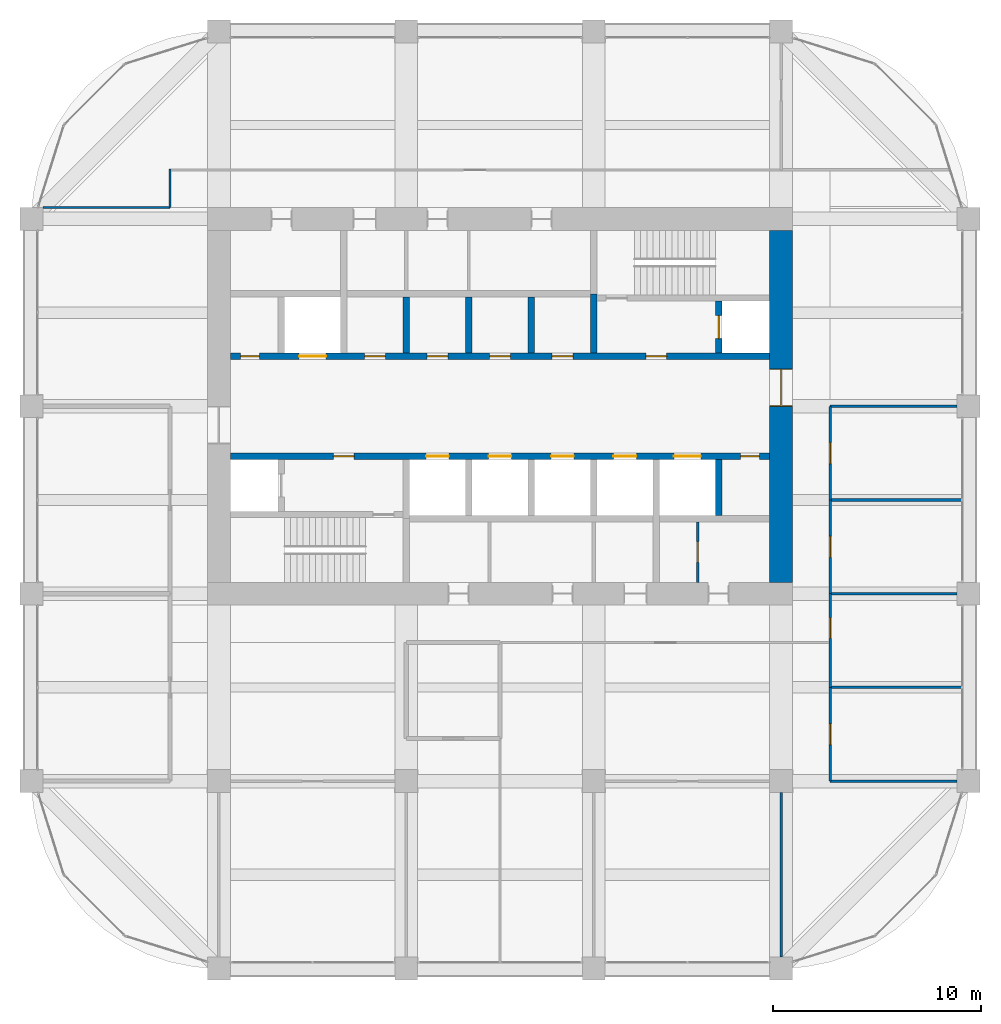
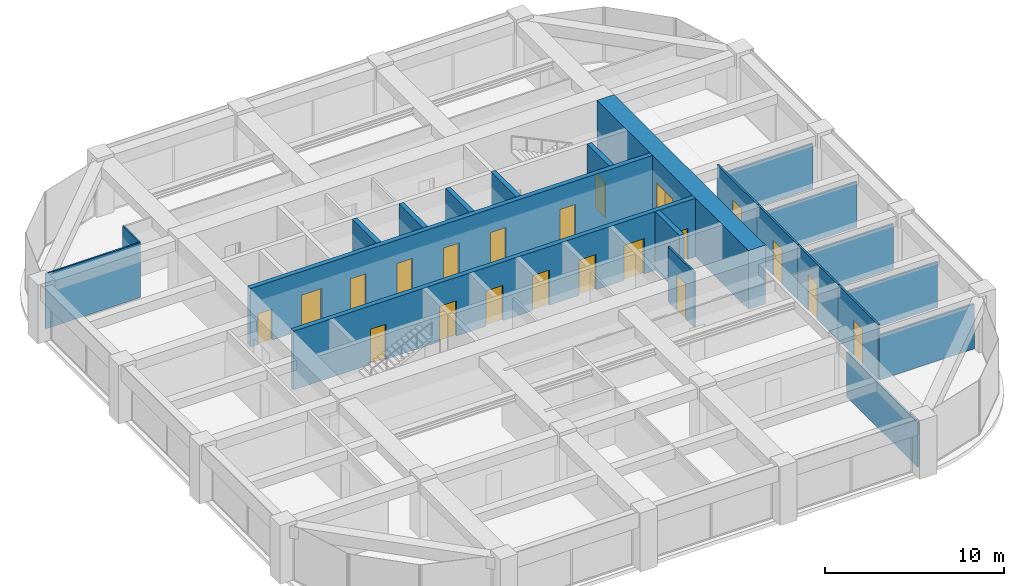
# One storey, part 42 of 44: 22 walls, 21 doors, 21 openings.
"""IFC4 building model written with IfcOpenShell, lengths in metres."""

from ifc_helpers import new_model, si_unit, direction, frame, frame_2d, origin, place, context, subcontext, project, spatial, rectangle, extrude, material, layer, layer_set, type_object, element, fill, save


model = new_model("IFC4")

# Units and contexts
model_context = context("Model", 3, precision=1e-05, world=origin(), true_north=direction((0.0, 1.0)))
body_context = subcontext(model_context, "Body", "Model", "MODEL_VIEW")
ifc_project = project(units=[si_unit("LENGTHUNIT", "METRE"), si_unit("AREAUNIT", "SQUARE_METRE"), si_unit("VOLUMEUNIT", "CUBIC_METRE"), si_unit("PLANEANGLEUNIT", "RADIAN"), si_unit("MASSUNIT", "GRAM", prefix="KILO")], contexts=[model_context])

# Site, building, storey
site_placement = place(None, origin())
site = spatial("IfcSite", under=ifc_project, at=site_placement, CompositionType="ELEMENT")
building_placement = place(site_placement, origin())
building = spatial("IfcBuilding", under=site, at=building_placement, Name="Zorevar Civic Tower", CompositionType="ELEMENT")
storey_placement = place(building_placement, frame((0.0, 0.0, 267.39990234375)))
storey = spatial("IfcBuildingStorey", under=building, at=storey_placement, Name="L65", CompositionType="ELEMENT", Elevation=267.39990234375)

# Wall, opening, door
ifc_material_1 = material(Name="Concrete C50/60", Category="concrete")
ifc_layer_1 = layer(ifc_material_1, 1.10009765625)
ifc_layer_set_1 = layer_set([ifc_layer_1], Name="Core wall 1100")
wall_type_1 = type_object("IfcWallType", Name="Core wall 1100", PredefinedType="SHEAR", material=ifc_layer_set_1)
wall_1_placement = place(storey_placement, frame((45.0, 18.550048828125, 0.0), z_axis=(0.0, 0.0, 1.0), x_axis=(0.0, 1.0, 0.0)))
wall_1 = element("IfcWall", 1, at=wall_1_placement, inside=storey, type_object=wall_type_1, Name="Core wall E L65", PredefinedType="SHEAR", context=body_context, shape_type="SweptSolid", body=[
    extrude(rectangle(XDim=16.89990234375, YDim=1.10009765625, at=frame_2d((8.449951171875, 0.0))), origin(), (0.0, 0.0, 1.0), 4.0),
])
opening_1_placement = place(wall_1_placement, frame((8.449951171875, 0.0, 0.0)))
opening_1 = element("IfcOpeningElement", 2, at=opening_1_placement, cuts=wall_1, Name="Opening L65.02", PredefinedType="OPENING", context=body_context, shape_type="SweptSolid", body=[
    extrude(rectangle(XDim=1.800048828125, YDim=2.39990234375, at=frame_2d((0.89990234375, 1.199951171875))), frame((0.0, 0.56005859375, 0.0), z_axis=(0.0, -1.0, 0.0), x_axis=(1.0, 0.0, 0.0)), (0.0, 0.0, 1.0), 1.1201171875),
])
ifc_material_2 = material(Name="Steel door set", Category="steel")
door_type_1 = type_object("IfcDoorType", Name="Fire door FD2 1800x2400", OperationType="DOUBLE_DOOR_DOUBLE_SWING", PredefinedType="DOOR", material=ifc_material_2)
door_1_placement = place(opening_1_placement, origin())
door_1 = element("IfcDoor", 3, at=door_1_placement, inside=storey, type_object=door_type_1, Name="Door L65 01", OperationType="DOUBLE_DOOR_DOUBLE_SWING", OverallHeight=2.39990234375, OverallWidth=1.800048828125, PredefinedType="DOOR", context=body_context, shape_type="SweptSolid", body=[
    extrude(rectangle(XDim=1.800048828125, YDim=2.39990234375, at=frame_2d((0.89990234375, 1.199951171875))), frame((0.0, 0.030029296875, 0.0), z_axis=(0.0, -1.0, 0.0), x_axis=(1.0, 0.0, 0.0)), (0.0, 0.0, 1.0), 0.06005859375),
    extrude(rectangle(XDim=0.04, YDim=2.39990234375, at=frame_2d((0.02001953125, 1.199951171875))), frame((0.0, 0.5498046875, 0.0), z_axis=(0.0, -1.0, 0.0), x_axis=(1.0, 0.0, 0.0)), (0.0, 0.0, 1.0), 1.099609375),
    extrude(rectangle(XDim=0.04, YDim=2.39990234375, at=frame_2d((1.780029296875, 1.199951171875))), frame((0.0, 0.5498046875, 0.0), z_axis=(0.0, -1.0, 0.0), x_axis=(1.0, 0.0, 0.0)), (0.0, 0.0, 1.0), 1.099609375),
    extrude(rectangle(XDim=1.800048828125, YDim=0.04, at=frame_2d((0.89990234375, 2.3798828125))), frame((0.0, 0.5498046875, 0.0), z_axis=(0.0, -1.0, 0.0), x_axis=(1.0, 0.0, 0.0)), (0.0, 0.0, 1.0), 1.099609375),
])
fill(opening_1, door_1)

# Walls
ifc_material_3 = material(Name="Laminated glass in black aluminium frame", Category="aluminium")
ifc_layer_2 = layer(ifc_material_3, 0.10009765625)
ifc_layer_set_2 = layer_set([ifc_layer_2], Name="Glazed partition 100")
wall_type_2 = type_object("IfcWallType", Name="Glazed partition 100", PredefinedType="PARTITIONING", material=ifc_layer_set_2)
wall_2_placement = place(storey_placement, frame((9.550048828125, 36.550048828125, 0.0), z_axis=(0.0, 0.0, 1.0), x_axis=(1.0, 0.0, 0.0)))
element("IfcWall", 4, at=wall_2_placement, inside=storey, type_object=wall_type_2, Name="Glazed partition 100 L65", PredefinedType="PARTITIONING", context=body_context, shape_type="SweptSolid", body=[
    extrude(rectangle(XDim=6.099853515625, YDim=0.10009765625, at=frame_2d((3.0498046875, 0.0))), origin(), (0.0, 0.0, 1.0), 3.75),
])
wall_3_placement = place(storey_placement, frame((15.64990234375, 36.550048828125, 0.0), z_axis=(0.0, 0.0, 1.0), x_axis=(0.0, 1.0, 0.0)))
element("IfcWall", 5, at=wall_3_placement, inside=storey, type_object=wall_type_2, Name="Glazed partition 100 L65", PredefinedType="PARTITIONING", context=body_context, shape_type="SweptSolid", body=[
    extrude(rectangle(XDim=1.849853515625, YDim=0.10009765625, at=frame_2d((0.9248046875, 0.0))), origin(), (0.0, 0.0, 1.0), 3.75),
])

# Wall, opening, door
ifc_material_4 = material(Name="Concrete C40/50", Category="concrete")
ifc_layer_3 = layer(ifc_material_4, 0.300048828125)
ifc_layer_set_3 = layer_set([ifc_layer_3], Name="Inner core wall 300")
wall_type_3 = type_object("IfcWallType", Name="Inner core wall 300", PredefinedType="SHEAR", material=ifc_layer_set_3)
wall_4_placement = place(storey_placement, frame((42.0, 29.550048828125, 0.0), z_axis=(0.0, 0.0, 1.0), x_axis=(0.0, 1.0, 0.0)))
wall_4 = element("IfcWall", 6, at=wall_4_placement, inside=storey, type_object=wall_type_3, Name="Inner core wall N02 L65", PredefinedType="SHEAR", context=body_context, shape_type="SweptSolid", body=[
    extrude(rectangle(XDim=2.5, YDim=0.300048828125, at=frame_2d((1.25, 0.0))), origin(), (0.0, 0.0, 1.0), 4.0),
])
opening_2_placement = place(wall_4_placement, frame((0.699951171875, 0.0, 0.0)))
opening_2 = element("IfcOpeningElement", 7, at=opening_2_placement, cuts=wall_4, Name="Opening L65.FL2", PredefinedType="OPENING", context=body_context, shape_type="SweptSolid", body=[
    extrude(rectangle(XDim=1.10009765625, YDim=2.39990234375, at=frame_2d((0.550048828125, 1.199951171875))), frame((0.0, 0.159912109375, 0.0), z_axis=(0.0, -1.0, 0.0), x_axis=(1.0, 0.0, 0.0)), (0.0, 0.0, 1.0), 0.320068359375),
])
ifc_material_5 = material(Name="Steel door set", Category="steel")
door_type_2 = type_object("IfcDoorType", Name="Firefighting lift landing door LD3 1100x2400", OperationType="DOUBLE_DOOR_SLIDING", PredefinedType="DOOR", material=ifc_material_5)
door_2_placement = place(opening_2_placement, origin())
door_2 = element("IfcDoor", 8, at=door_2_placement, inside=storey, type_object=door_type_2, Name="Landing door FL2 L65", OperationType="DOUBLE_DOOR_SLIDING", OverallHeight=2.39990234375, OverallWidth=1.10009765625, PredefinedType="DOOR", context=body_context, shape_type="SweptSolid", body=[
    extrude(rectangle(XDim=1.10009765625, YDim=2.39990234375, at=frame_2d((0.550048828125, 1.199951171875))), frame((0.0, 0.030029296875, 0.0), z_axis=(0.0, -1.0, 0.0), x_axis=(1.0, 0.0, 0.0)), (0.0, 0.0, 1.0), 0.06005859375),
])
fill(opening_2, door_2)

# Wall, openings, doors
wall_5_placement = place(storey_placement, frame((18.550048828125, 24.60009765625, 0.0), z_axis=(0.0, 0.0, 1.0), x_axis=(1.0, 0.0, 0.0)))
wall_5 = element("IfcWall", 9, at=wall_5_placement, inside=storey, type_object=wall_type_3, Name="Inner core wall S03 L65", PredefinedType="SHEAR", context=body_context, shape_type="SweptSolid", body=[
    extrude(rectangle(XDim=25.89990234375, YDim=0.300048828125, at=frame_2d((12.949951171875, 0.0))), origin(), (0.0, 0.0, 1.0), 4.0),
])
opening_3_placement = place(wall_5_placement, frame((4.949951171875, 0.0, 0.0)))
opening_3 = element("IfcOpeningElement", 10, at=opening_3_placement, cuts=wall_5, Name="Opening L65.13", PredefinedType="OPENING", context=body_context, shape_type="SweptSolid", body=[
    extrude(rectangle(XDim=1.0, YDim=2.39990234375, at=frame_2d((0.5, 1.199951171875))), frame((0.0, 0.159912109375, 0.0), z_axis=(0.0, -1.0, 0.0), x_axis=(1.0, 0.0, 0.0)), (0.0, 0.0, 1.0), 0.320068359375),
])
opening_4_placement = place(wall_5_placement, frame((24.5, 0.0, 0.0)))
opening_4 = element("IfcOpeningElement", 11, at=opening_4_placement, cuts=wall_5, Name="Opening L65.15", PredefinedType="OPENING", context=body_context, shape_type="SweptSolid", body=[
    extrude(rectangle(XDim=0.89990234375, YDim=2.10009765625, at=frame_2d((0.449951171875, 1.050048828125))), frame((0.0, 0.159912109375, 0.0), z_axis=(0.0, -1.0, 0.0), x_axis=(1.0, 0.0, 0.0)), (0.0, 0.0, 1.0), 0.320068359375),
])
opening_5_placement = place(wall_5_placement, frame((9.39990234375, 0.0, 0.0)))
opening_5 = element("IfcOpeningElement", 12, at=opening_5_placement, cuts=wall_5, Name="Opening L65.LT1", PredefinedType="OPENING", context=body_context, shape_type="SweptSolid", body=[
    extrude(rectangle(XDim=1.10009765625, YDim=2.39990234375, at=frame_2d((0.550048828125, 1.199951171875))), frame((0.0, 0.159912109375, 0.0), z_axis=(0.0, -1.0, 0.0), x_axis=(1.0, 0.0, 0.0)), (0.0, 0.0, 1.0), 0.320068359375),
])
opening_6_placement = place(wall_5_placement, frame((12.39990234375, 0.0, 0.0)))
opening_6 = element("IfcOpeningElement", 13, at=opening_6_placement, cuts=wall_5, Name="Opening L65.LT2", PredefinedType="OPENING", context=body_context, shape_type="SweptSolid", body=[
    extrude(rectangle(XDim=1.10009765625, YDim=2.39990234375, at=frame_2d((0.550048828125, 1.199951171875))), frame((0.0, 0.159912109375, 0.0), z_axis=(0.0, -1.0, 0.0), x_axis=(1.0, 0.0, 0.0)), (0.0, 0.0, 1.0), 0.320068359375),
])
opening_7_placement = place(wall_5_placement, frame((15.39990234375, 0.0, 0.0)))
opening_7 = element("IfcOpeningElement", 14, at=opening_7_placement, cuts=wall_5, Name="Opening L65.LT3", PredefinedType="OPENING", context=body_context, shape_type="SweptSolid", body=[
    extrude(rectangle(XDim=1.10009765625, YDim=2.39990234375, at=frame_2d((0.550048828125, 1.199951171875))), frame((0.0, 0.159912109375, 0.0), z_axis=(0.0, -1.0, 0.0), x_axis=(1.0, 0.0, 0.0)), (0.0, 0.0, 1.0), 0.320068359375),
])
opening_8_placement = place(wall_5_placement, frame((18.39990234375, 0.0, 0.0)))
opening_8 = element("IfcOpeningElement", 15, at=opening_8_placement, cuts=wall_5, Name="Opening L65.LT4", PredefinedType="OPENING", context=body_context, shape_type="SweptSolid", body=[
    extrude(rectangle(XDim=1.10009765625, YDim=2.39990234375, at=frame_2d((0.550048828125, 1.199951171875))), frame((0.0, 0.159912109375, 0.0), z_axis=(0.0, -1.0, 0.0), x_axis=(1.0, 0.0, 0.0)), (0.0, 0.0, 1.0), 0.320068359375),
])
opening_9_placement = place(wall_5_placement, frame((21.300048828125, 0.0, 0.0)))
opening_9 = element("IfcOpeningElement", 16, at=opening_9_placement, cuts=wall_5, Name="Opening L65.SL1", PredefinedType="OPENING", context=body_context, shape_type="SweptSolid", body=[
    extrude(rectangle(XDim=1.300048828125, YDim=2.39990234375, at=frame_2d((0.64990234375, 1.199951171875))), frame((0.0, 0.159912109375, 0.0), z_axis=(0.0, -1.0, 0.0), x_axis=(1.0, 0.0, 0.0)), (0.0, 0.0, 1.0), 0.320068359375),
])
ifc_material_6 = material(Name="Steel door set", Category="steel")
door_type_3 = type_object("IfcDoorType", Name="Fire door FD1 1000x2400", OperationType="SINGLE_SWING_LEFT", PredefinedType="DOOR", material=ifc_material_6)
door_3_placement = place(opening_3_placement, origin())
door_3 = element("IfcDoor", 17, at=door_3_placement, inside=storey, type_object=door_type_3, Name="Door L65 12", OperationType="SINGLE_SWING_RIGHT", OverallHeight=2.39990234375, OverallWidth=1.0, PredefinedType="DOOR", context=body_context, shape_type="SweptSolid", body=[
    extrude(rectangle(XDim=1.0, YDim=2.39990234375, at=frame_2d((0.5, 1.199951171875))), frame((0.0, 0.030029296875, 0.0), z_axis=(0.0, -1.0, 0.0), x_axis=(1.0, 0.0, 0.0)), (0.0, 0.0, 1.0), 0.06005859375),
])
fill(opening_3, door_3)
ifc_material_7 = material(Name="Steel door set", Category="steel")
door_type_4 = type_object("IfcDoorType", Name="Landing door LD1 1100x2400", OperationType="DOUBLE_DOOR_SLIDING", PredefinedType="DOOR", material=ifc_material_7)
door_4_placement = place(opening_5_placement, origin())
door_4 = element("IfcDoor", 18, at=door_4_placement, inside=storey, type_object=door_type_4, Name="Landing door LT1 L65", OperationType="DOUBLE_DOOR_SLIDING", OverallHeight=2.39990234375, OverallWidth=1.10009765625, PredefinedType="DOOR", context=body_context, shape_type="SweptSolid", body=[
    extrude(rectangle(XDim=1.10009765625, YDim=2.39990234375, at=frame_2d((0.550048828125, 1.199951171875))), frame((0.0, 0.02001953125, 0.0), z_axis=(0.0, -1.0, 0.0), x_axis=(1.0, 0.0, 0.0)), (0.0, 0.0, 1.0), 0.0400390625),
])
fill(opening_5, door_4)
door_5_placement = place(opening_6_placement, origin())
door_5 = element("IfcDoor", 19, at=door_5_placement, inside=storey, type_object=door_type_4, Name="Landing door LT2 L65", OperationType="DOUBLE_DOOR_SLIDING", OverallHeight=2.39990234375, OverallWidth=1.10009765625, PredefinedType="DOOR", context=body_context, shape_type="SweptSolid", body=[
    extrude(rectangle(XDim=1.10009765625, YDim=2.39990234375, at=frame_2d((0.550048828125, 1.199951171875))), frame((0.0, 0.02001953125, 0.0), z_axis=(0.0, -1.0, 0.0), x_axis=(1.0, 0.0, 0.0)), (0.0, 0.0, 1.0), 0.0400390625),
])
fill(opening_6, door_5)
door_6_placement = place(opening_7_placement, origin())
door_6 = element("IfcDoor", 20, at=door_6_placement, inside=storey, type_object=door_type_4, Name="Landing door LT3 L65", OperationType="DOUBLE_DOOR_SLIDING", OverallHeight=2.39990234375, OverallWidth=1.10009765625, PredefinedType="DOOR", context=body_context, shape_type="SweptSolid", body=[
    extrude(rectangle(XDim=1.10009765625, YDim=2.39990234375, at=frame_2d((0.550048828125, 1.199951171875))), frame((0.0, 0.02001953125, 0.0), z_axis=(0.0, -1.0, 0.0), x_axis=(1.0, 0.0, 0.0)), (0.0, 0.0, 1.0), 0.0400390625),
])
fill(opening_7, door_6)
door_7_placement = place(opening_8_placement, origin())
door_7 = element("IfcDoor", 21, at=door_7_placement, inside=storey, type_object=door_type_4, Name="Landing door LT4 L65", OperationType="DOUBLE_DOOR_SLIDING", OverallHeight=2.39990234375, OverallWidth=1.10009765625, PredefinedType="DOOR", context=body_context, shape_type="SweptSolid", body=[
    extrude(rectangle(XDim=1.10009765625, YDim=2.39990234375, at=frame_2d((0.550048828125, 1.199951171875))), frame((0.0, 0.02001953125, 0.0), z_axis=(0.0, -1.0, 0.0), x_axis=(1.0, 0.0, 0.0)), (0.0, 0.0, 1.0), 0.0400390625),
])
fill(opening_8, door_7)
ifc_material_8 = material(Name="Steel door set", Category="steel")
door_type_5 = type_object("IfcDoorType", Name="Landing door LD2 1300x2400", OperationType="DOUBLE_DOOR_SLIDING", PredefinedType="DOOR", material=ifc_material_8)
door_8_placement = place(opening_9_placement, origin())
door_8 = element("IfcDoor", 22, at=door_8_placement, inside=storey, type_object=door_type_5, Name="Landing door SL1 L65", OperationType="DOUBLE_DOOR_SLIDING", OverallHeight=2.39990234375, OverallWidth=1.300048828125, PredefinedType="DOOR", context=body_context, shape_type="SweptSolid", body=[
    extrude(rectangle(XDim=1.300048828125, YDim=2.39990234375, at=frame_2d((0.64990234375, 1.199951171875))), frame((0.0, 0.02001953125, 0.0), z_axis=(0.0, -1.0, 0.0), x_axis=(1.0, 0.0, 0.0)), (0.0, 0.0, 1.0), 0.0400390625),
])
fill(opening_9, door_8)
ifc_material_9 = material(Name="Steel door set", Category="steel")
door_type_6 = type_object("IfcDoorType", Name="Riser door RD1 900x2100", OperationType="SINGLE_SWING_LEFT", PredefinedType="DOOR", material=ifc_material_9)
door_9_placement = place(opening_4_placement, origin())
door_9 = element("IfcDoor", 23, at=door_9_placement, inside=storey, type_object=door_type_6, Name="Door L65 14", OperationType="SINGLE_SWING_RIGHT", OverallHeight=2.10009765625, OverallWidth=0.89990234375, PredefinedType="DOOR", context=body_context, shape_type="SweptSolid", body=[
    extrude(rectangle(XDim=0.89990234375, YDim=2.10009765625, at=frame_2d((0.449951171875, 1.050048828125))), frame((0.0, 0.030029296875, 0.0), z_axis=(0.0, -1.0, 0.0), x_axis=(1.0, 0.0, 0.0)), (0.0, 0.0, 1.0), 0.06005859375),
])
fill(opening_4, door_9)

wall_6_placement = place(storey_placement, frame((18.550048828125, 29.39990234375, 0.0), z_axis=(0.0, 0.0, 1.0), x_axis=(1.0, 0.0, 0.0)))
wall_6 = element("IfcWall", 24, at=wall_6_placement, inside=storey, type_object=wall_type_3, Name="Inner core wall N03 L65", PredefinedType="SHEAR", context=body_context, shape_type="SweptSolid", body=[
    extrude(rectangle(XDim=25.89990234375, YDim=0.300048828125, at=frame_2d((12.949951171875, 0.0))), origin(), (0.0, 0.0, 1.0), 4.0),
])
opening_10_placement = place(wall_6_placement, frame((19.949951171875, 0.0, 0.0)))
opening_10 = element("IfcOpeningElement", 25, at=opening_10_placement, cuts=wall_6, Name="Opening L65.14", PredefinedType="OPENING", context=body_context, shape_type="SweptSolid", body=[
    extrude(rectangle(XDim=1.0, YDim=2.39990234375, at=frame_2d((0.5, 1.199951171875))), frame((0.0, 0.159912109375, 0.0), z_axis=(0.0, -1.0, 0.0), x_axis=(1.0, 0.0, 0.0)), (0.0, 0.0, 1.0), 0.320068359375),
])
opening_11_placement = place(wall_6_placement, frame((0.5, 0.0, 0.0)))
opening_11 = element("IfcOpeningElement", 26, at=opening_11_placement, cuts=wall_6, Name="Opening L65.16", PredefinedType="OPENING", context=body_context, shape_type="SweptSolid", body=[
    extrude(rectangle(XDim=0.89990234375, YDim=2.10009765625, at=frame_2d((0.449951171875, 1.050048828125))), frame((0.0, 0.159912109375, 0.0), z_axis=(0.0, -1.0, 0.0), x_axis=(1.0, 0.0, 0.0)), (0.0, 0.0, 1.0), 0.320068359375),
])
opening_12_placement = place(wall_6_placement, frame((15.449951171875, 0.0, 0.0)))
opening_12 = element("IfcOpeningElement", 27, at=opening_12_placement, cuts=wall_6, Name="Opening L65.30", PredefinedType="OPENING", context=body_context, shape_type="SweptSolid", body=[
    extrude(rectangle(XDim=1.0, YDim=2.39990234375, at=frame_2d((0.5, 1.199951171875))), frame((0.0, 0.159912109375, 0.0), z_axis=(0.0, -1.0, 0.0), x_axis=(1.0, 0.0, 0.0)), (0.0, 0.0, 1.0), 0.320068359375),
])
opening_13_placement = place(wall_6_placement, frame((12.449951171875, 0.0, 0.0)))
opening_13 = element("IfcOpeningElement", 28, at=opening_13_placement, cuts=wall_6, Name="Opening L65.31", PredefinedType="OPENING", context=body_context, shape_type="SweptSolid", body=[
    extrude(rectangle(XDim=1.0, YDim=2.39990234375, at=frame_2d((0.5, 1.199951171875))), frame((0.0, 0.159912109375, 0.0), z_axis=(0.0, -1.0, 0.0), x_axis=(1.0, 0.0, 0.0)), (0.0, 0.0, 1.0), 0.320068359375),
])
opening_14_placement = place(wall_6_placement, frame((9.449951171875, 0.0, 0.0)))
opening_14 = element("IfcOpeningElement", 29, at=opening_14_placement, cuts=wall_6, Name="Opening L65.32", PredefinedType="OPENING", context=body_context, shape_type="SweptSolid", body=[
    extrude(rectangle(XDim=1.0, YDim=2.39990234375, at=frame_2d((0.5, 1.199951171875))), frame((0.0, 0.159912109375, 0.0), z_axis=(0.0, -1.0, 0.0), x_axis=(1.0, 0.0, 0.0)), (0.0, 0.0, 1.0), 0.320068359375),
])
opening_15_placement = place(wall_6_placement, frame((6.449951171875, 0.0, 0.0)))
opening_15 = element("IfcOpeningElement", 30, at=opening_15_placement, cuts=wall_6, Name="Opening L65.33", PredefinedType="OPENING", context=body_context, shape_type="SweptSolid", body=[
    extrude(rectangle(XDim=1.0, YDim=2.39990234375, at=frame_2d((0.5, 1.199951171875))), frame((0.0, 0.159912109375, 0.0), z_axis=(0.0, -1.0, 0.0), x_axis=(1.0, 0.0, 0.0)), (0.0, 0.0, 1.0), 0.320068359375),
])
opening_16_placement = place(wall_6_placement, frame((3.300048828125, 0.0, 0.0)))
opening_16 = element("IfcOpeningElement", 31, at=opening_16_placement, cuts=wall_6, Name="Opening L65.SL2", PredefinedType="OPENING", context=body_context, shape_type="SweptSolid", body=[
    extrude(rectangle(XDim=1.300048828125, YDim=2.39990234375, at=frame_2d((0.64990234375, 1.199951171875))), frame((0.0, 0.159912109375, 0.0), z_axis=(0.0, -1.0, 0.0), x_axis=(1.0, 0.0, 0.0)), (0.0, 0.0, 1.0), 0.320068359375),
])
door_10_placement = place(opening_10_placement, origin())
door_10 = element("IfcDoor", 32, at=door_10_placement, inside=storey, type_object=door_type_3, Name="Door L65 13", OperationType="SINGLE_SWING_RIGHT", OverallHeight=2.39990234375, OverallWidth=1.0, PredefinedType="DOOR", context=body_context, shape_type="SweptSolid", body=[
    extrude(rectangle(XDim=1.0, YDim=2.39990234375, at=frame_2d((0.5, 1.199951171875))), frame((0.0, 0.030029296875, 0.0), z_axis=(0.0, -1.0, 0.0), x_axis=(1.0, 0.0, 0.0)), (0.0, 0.0, 1.0), 0.06005859375),
])
fill(opening_10, door_10)
door_11_placement = place(opening_12_placement, origin())
door_11 = element("IfcDoor", 33, at=door_11_placement, inside=storey, type_object=door_type_3, Name="Door L65 LM1 shaft room", OperationType="SINGLE_SWING_LEFT", OverallHeight=2.39990234375, OverallWidth=1.0, PredefinedType="DOOR", context=body_context, shape_type="SweptSolid", body=[
    extrude(rectangle(XDim=1.0, YDim=2.39990234375, at=frame_2d((0.5, 1.199951171875))), frame((0.0, 0.030029296875, 0.0), z_axis=(0.0, -1.0, 0.0), x_axis=(1.0, 0.0, 0.0)), (0.0, 0.0, 1.0), 0.06005859375),
])
fill(opening_12, door_11)
door_12_placement = place(opening_13_placement, origin())
door_12 = element("IfcDoor", 34, at=door_12_placement, inside=storey, type_object=door_type_3, Name="Door L65 LM2 shaft room", OperationType="SINGLE_SWING_RIGHT", OverallHeight=2.39990234375, OverallWidth=1.0, PredefinedType="DOOR", context=body_context, shape_type="SweptSolid", body=[
    extrude(rectangle(XDim=1.0, YDim=2.39990234375, at=frame_2d((0.5, 1.199951171875))), frame((0.0, 0.030029296875, 0.0), z_axis=(0.0, -1.0, 0.0), x_axis=(1.0, 0.0, 0.0)), (0.0, 0.0, 1.0), 0.06005859375),
])
fill(opening_13, door_12)
door_13_placement = place(opening_14_placement, origin())
door_13 = element("IfcDoor", 35, at=door_13_placement, inside=storey, type_object=door_type_3, Name="Door L65 LH1 shaft room", OperationType="SINGLE_SWING_RIGHT", OverallHeight=2.39990234375, OverallWidth=1.0, PredefinedType="DOOR", context=body_context, shape_type="SweptSolid", body=[
    extrude(rectangle(XDim=1.0, YDim=2.39990234375, at=frame_2d((0.5, 1.199951171875))), frame((0.0, 0.030029296875, 0.0), z_axis=(0.0, -1.0, 0.0), x_axis=(1.0, 0.0, 0.0)), (0.0, 0.0, 1.0), 0.06005859375),
])
fill(opening_14, door_13)
door_14_placement = place(opening_15_placement, origin())
door_14 = element("IfcDoor", 36, at=door_14_placement, inside=storey, type_object=door_type_3, Name="Door L65 LH2 shaft room", OperationType="SINGLE_SWING_RIGHT", OverallHeight=2.39990234375, OverallWidth=1.0, PredefinedType="DOOR", context=body_context, shape_type="SweptSolid", body=[
    extrude(rectangle(XDim=1.0, YDim=2.39990234375, at=frame_2d((0.5, 1.199951171875))), frame((0.0, 0.030029296875, 0.0), z_axis=(0.0, -1.0, 0.0), x_axis=(1.0, 0.0, 0.0)), (0.0, 0.0, 1.0), 0.06005859375),
])
fill(opening_15, door_14)
door_15_placement = place(opening_16_placement, origin())
door_15 = element("IfcDoor", 37, at=door_15_placement, inside=storey, type_object=door_type_5, Name="Landing door SL2 L65", OperationType="DOUBLE_DOOR_SLIDING", OverallHeight=2.39990234375, OverallWidth=1.300048828125, PredefinedType="DOOR", context=body_context, shape_type="SweptSolid", body=[
    extrude(rectangle(XDim=1.300048828125, YDim=2.39990234375, at=frame_2d((0.64990234375, 1.199951171875))), frame((0.0, 0.02001953125, 0.0), z_axis=(0.0, -1.0, 0.0), x_axis=(1.0, 0.0, 0.0)), (0.0, 0.0, 1.0), 0.0400390625),
])
fill(opening_16, door_15)
door_16_placement = place(opening_11_placement, origin())
door_16 = element("IfcDoor", 38, at=door_16_placement, inside=storey, type_object=door_type_6, Name="Door L65 15", OperationType="SINGLE_SWING_RIGHT", OverallHeight=2.10009765625, OverallWidth=0.89990234375, PredefinedType="DOOR", context=body_context, shape_type="SweptSolid", body=[
    extrude(rectangle(XDim=0.89990234375, YDim=2.10009765625, at=frame_2d((0.449951171875, 1.050048828125))), frame((0.0, 0.030029296875, 0.0), z_axis=(0.0, -1.0, 0.0), x_axis=(1.0, 0.0, 0.0)), (0.0, 0.0, 1.0), 0.06005859375),
])
fill(opening_11, door_16)

# Walls
for number, where, z_axis, x_axis, name in (
    (39, (33.0, 29.550048828125, 0.0), (0.0, 0.0, 1.0), (0.0, 1.0, 0.0), "Inner core wall N05 L65"),
    (40, (30.0, 29.550048828125, 0.0), (0.0, 0.0, 1.0), (0.0, 1.0, 0.0), "Inner core wall N06 L65"),
    (41, (27.0, 29.550048828125, 0.0), (0.0, 0.0, 1.0), (0.0, 1.0, 0.0), "Inner core wall N07 L65"),
    (42, (42.0, 21.75, 0.0), (0.0, 0.0, 1.0), (0.0, 1.0, 0.0), "Inner core wall S09 L65"),
):
    element("IfcWall", number, at=place(storey_placement, frame(where, z_axis=z_axis, x_axis=x_axis)), inside=storey, type_object=wall_type_3, Name=name, PredefinedType="SHEAR", context=body_context, shape_type="SweptSolid", body=[
        extrude(rectangle(XDim=2.699951171875, YDim=0.300048828125, at=frame_2d((1.35009765625, 0.0))), origin(), (0.0, 0.0, 1.0), 4.0),
    ])
wall_7_placement = place(storey_placement, frame((36.0, 29.550048828125, 0.0), z_axis=(0.0, 0.0, 1.0), x_axis=(0.0, 1.0, 0.0)))
element("IfcWall", 43, at=wall_7_placement, inside=storey, type_object=wall_type_3, Name="Inner core wall N10 L65", PredefinedType="SHEAR", context=body_context, shape_type="SweptSolid", body=[
    extrude(rectangle(XDim=2.849853515625, YDim=0.300048828125, at=frame_2d((1.4248046875, 0.0))), origin(), (0.0, 0.0, 1.0), 4.0),
])
ifc_material_10 = material(Name="Gypsum board on steel studs", Category="steel")
ifc_layer_4 = layer(ifc_material_10, 0.1201171875)
ifc_layer_set_4 = layer_set([ifc_layer_4], Name="Partition 120")
wall_type_4 = type_object("IfcWallType", Name="Partition 120", PredefinedType="PARTITIONING", material=ifc_layer_set_4)
wall_8_placement = place(storey_placement, frame((47.35009765625, 9.0, 0.0), z_axis=(0.0, 0.0, 1.0), x_axis=(1.0, 0.0, 0.0)))
element("IfcWall", 44, at=wall_8_placement, inside=storey, type_object=wall_type_4, Name="Partition 120 L65", PredefinedType="PARTITIONING", context=body_context, shape_type="SweptSolid", body=[
    extrude(rectangle(XDim=6.099853515625, YDim=0.1201171875, at=frame_2d((3.0498046875, 0.0))), origin(), (0.0, 0.0, 1.0), 3.050048828125),
])
wall_9_placement = place(storey_placement, frame((47.35009765625, 13.5, 0.0), z_axis=(0.0, 0.0, 1.0), x_axis=(1.0, 0.0, 0.0)))
element("IfcWall", 45, at=wall_9_placement, inside=storey, type_object=wall_type_4, Name="Partition 120 L65", PredefinedType="PARTITIONING", context=body_context, shape_type="SweptSolid", body=[
    extrude(rectangle(XDim=6.33984375, YDim=0.1201171875, at=frame_2d((3.169921875, 0.0))), origin(), (0.0, 0.0, 1.0), 3.10009765625),
])
wall_10_placement = place(storey_placement, frame((47.35009765625, 18.0, 0.0), z_axis=(0.0, 0.0, 1.0), x_axis=(1.0, 0.0, 0.0)))
element("IfcWall", 46, at=wall_10_placement, inside=storey, type_object=wall_type_4, Name="Partition 120 L65", PredefinedType="PARTITIONING", context=body_context, shape_type="SweptSolid", body=[
    extrude(rectangle(XDim=6.099853515625, YDim=0.1201171875, at=frame_2d((3.0498046875, 0.0))), origin(), (0.0, 0.0, 1.0), 3.050048828125),
])
wall_11_placement = place(storey_placement, frame((47.35009765625, 22.5, 0.0), z_axis=(0.0, 0.0, 1.0), x_axis=(1.0, 0.0, 0.0)))
element("IfcWall", 47, at=wall_11_placement, inside=storey, type_object=wall_type_4, Name="Partition 120 L65", PredefinedType="PARTITIONING", context=body_context, shape_type="SweptSolid", body=[
    extrude(rectangle(XDim=6.33984375, YDim=0.1201171875, at=frame_2d((3.169921875, 0.0))), origin(), (0.0, 0.0, 1.0), 3.10009765625),
])
wall_12_placement = place(storey_placement, frame((47.35009765625, 27.0, 0.0), z_axis=(0.0, 0.0, 1.0), x_axis=(1.0, 0.0, 0.0)))
element("IfcWall", 48, at=wall_12_placement, inside=storey, type_object=wall_type_4, Name="Partition 120 L65", PredefinedType="PARTITIONING", context=body_context, shape_type="SweptSolid", body=[
    extrude(rectangle(XDim=6.099853515625, YDim=0.1201171875, at=frame_2d((3.0498046875, 0.0))), origin(), (0.0, 0.0, 1.0), 3.050048828125),
])
wall_13_placement = place(storey_placement, frame((45.0, 0.550048828125, 0.0), z_axis=(0.0, 0.0, 1.0), x_axis=(0.0, 1.0, 0.0)))
element("IfcWall", 49, at=wall_13_placement, inside=storey, type_object=wall_type_4, Name="Partition 120 L65", PredefinedType="PARTITIONING", context=body_context, shape_type="SweptSolid", body=[
    extrude(rectangle(XDim=7.89990234375, YDim=0.1201171875, at=frame_2d((3.949951171875, 0.0))), origin(), (0.0, 0.0, 1.0), 3.050048828125),
])

# Wall, opening, door
wall_14_placement = place(storey_placement, frame((47.35009765625, 9.0, 0.0), z_axis=(0.0, 0.0, 1.0), x_axis=(0.0, 1.0, 0.0)))
wall_14 = element("IfcWall", 50, at=wall_14_placement, inside=storey, type_object=wall_type_4, Name="Partition 120 L65", PredefinedType="PARTITIONING", context=body_context, shape_type="SweptSolid", body=[
    extrude(rectangle(XDim=4.5, YDim=0.1201171875, at=frame_2d((2.25, 0.0))), origin(), (0.0, 0.0, 1.0), 3.75),
])
opening_17_placement = place(wall_14_placement, frame((1.75, 0.0, 0.0)))
opening_17 = element("IfcOpeningElement", 51, at=opening_17_placement, cuts=wall_14, Name="Opening L65.25", PredefinedType="OPENING", context=body_context, shape_type="SweptSolid", body=[
    extrude(rectangle(XDim=1.0, YDim=2.39990234375, at=frame_2d((0.5, 1.199951171875))), frame((0.0, 0.070068359375, 0.0), z_axis=(0.0, -1.0, 0.0), x_axis=(1.0, 0.0, 0.0)), (0.0, 0.0, 1.0), 0.14013671875),
])
ifc_material_11 = material(Name="Timber door set", Category="wood")
door_type_7 = type_object("IfcDoorType", Name="Door D1 1000x2400", OperationType="SINGLE_SWING_LEFT", PredefinedType="DOOR", material=ifc_material_11)
door_17_placement = place(opening_17_placement, origin())
door_17 = element("IfcDoor", 52, at=door_17_placement, inside=storey, type_object=door_type_7, Name="Door L65 D1", OperationType="SINGLE_SWING_LEFT", OverallHeight=2.39990234375, OverallWidth=1.0, PredefinedType="DOOR", context=body_context, shape_type="SweptSolid", body=[
    extrude(rectangle(XDim=1.0, YDim=2.39990234375, at=frame_2d((0.5, 1.199951171875))), frame((0.0, 0.02490234375, 0.0), z_axis=(0.0, -1.0, 0.0), x_axis=(1.0, 0.0, 0.0)), (0.0, 0.0, 1.0), 0.050048828125),
])
fill(opening_17, door_17)

wall_15_placement = place(storey_placement, frame((47.35009765625, 13.5, 0.0), z_axis=(0.0, 0.0, 1.0), x_axis=(0.0, 1.0, 0.0)))
wall_15 = element("IfcWall", 53, at=wall_15_placement, inside=storey, type_object=wall_type_4, Name="Partition 120 L65", PredefinedType="PARTITIONING", context=body_context, shape_type="SweptSolid", body=[
    extrude(rectangle(XDim=4.5, YDim=0.1201171875, at=frame_2d((2.25, 0.0))), origin(), (0.0, 0.0, 1.0), 3.75),
])
opening_18_placement = place(wall_15_placement, frame((2.35009765625, 0.0, 0.0)))
opening_18 = element("IfcOpeningElement", 54, at=opening_18_placement, cuts=wall_15, Name="Opening L65.26", PredefinedType="OPENING", context=body_context, shape_type="SweptSolid", body=[
    extrude(rectangle(XDim=1.0, YDim=2.39990234375, at=frame_2d((0.5, 1.199951171875))), frame((0.0, 0.070068359375, 0.0), z_axis=(0.0, -1.0, 0.0), x_axis=(1.0, 0.0, 0.0)), (0.0, 0.0, 1.0), 0.14013671875),
])
door_18_placement = place(opening_18_placement, origin())
door_18 = element("IfcDoor", 55, at=door_18_placement, inside=storey, type_object=door_type_7, Name="Door L65 D1", OperationType="SINGLE_SWING_LEFT", OverallHeight=2.39990234375, OverallWidth=1.0, PredefinedType="DOOR", context=body_context, shape_type="SweptSolid", body=[
    extrude(rectangle(XDim=1.0, YDim=2.39990234375, at=frame_2d((0.5, 1.199951171875))), frame((0.0, 0.02490234375, 0.0), z_axis=(0.0, -1.0, 0.0), x_axis=(1.0, 0.0, 0.0)), (0.0, 0.0, 1.0), 0.050048828125),
])
fill(opening_18, door_18)

wall_16_placement = place(storey_placement, frame((47.35009765625, 18.0, 0.0), z_axis=(0.0, 0.0, 1.0), x_axis=(0.0, 1.0, 0.0)))
wall_16 = element("IfcWall", 56, at=wall_16_placement, inside=storey, type_object=wall_type_4, Name="Partition 120 L65", PredefinedType="PARTITIONING", context=body_context, shape_type="SweptSolid", body=[
    extrude(rectangle(XDim=4.5, YDim=0.1201171875, at=frame_2d((2.25, 0.0))), origin(), (0.0, 0.0, 1.0), 3.75),
])
opening_19_placement = place(wall_16_placement, frame((1.75, 0.0, 0.0)))
opening_19 = element("IfcOpeningElement", 57, at=opening_19_placement, cuts=wall_16, Name="Opening L65.27", PredefinedType="OPENING", context=body_context, shape_type="SweptSolid", body=[
    extrude(rectangle(XDim=1.0, YDim=2.39990234375, at=frame_2d((0.5, 1.199951171875))), frame((0.0, 0.070068359375, 0.0), z_axis=(0.0, -1.0, 0.0), x_axis=(1.0, 0.0, 0.0)), (0.0, 0.0, 1.0), 0.14013671875),
])
door_19_placement = place(opening_19_placement, origin())
door_19 = element("IfcDoor", 58, at=door_19_placement, inside=storey, type_object=door_type_7, Name="Door L65 D1", OperationType="SINGLE_SWING_RIGHT", OverallHeight=2.39990234375, OverallWidth=1.0, PredefinedType="DOOR", context=body_context, shape_type="SweptSolid", body=[
    extrude(rectangle(XDim=1.0, YDim=2.39990234375, at=frame_2d((0.5, 1.199951171875))), frame((0.0, 0.02490234375, 0.0), z_axis=(0.0, -1.0, 0.0), x_axis=(1.0, 0.0, 0.0)), (0.0, 0.0, 1.0), 0.050048828125),
])
fill(opening_19, door_19)

wall_17_placement = place(storey_placement, frame((47.35009765625, 22.5, 0.0), z_axis=(0.0, 0.0, 1.0), x_axis=(0.0, 1.0, 0.0)))
wall_17 = element("IfcWall", 59, at=wall_17_placement, inside=storey, type_object=wall_type_4, Name="Partition 120 L65", PredefinedType="PARTITIONING", context=body_context, shape_type="SweptSolid", body=[
    extrude(rectangle(XDim=4.5, YDim=0.1201171875, at=frame_2d((2.25, 0.0))), origin(), (0.0, 0.0, 1.0), 3.75),
])
opening_20_placement = place(wall_17_placement, frame((1.75, 0.0, 0.0)))
opening_20 = element("IfcOpeningElement", 60, at=opening_20_placement, cuts=wall_17, Name="Opening L65.28", PredefinedType="OPENING", context=body_context, shape_type="SweptSolid", body=[
    extrude(rectangle(XDim=1.0, YDim=2.39990234375, at=frame_2d((0.5, 1.199951171875))), frame((0.0, 0.070068359375, 0.0), z_axis=(0.0, -1.0, 0.0), x_axis=(1.0, 0.0, 0.0)), (0.0, 0.0, 1.0), 0.14013671875),
])
door_20_placement = place(opening_20_placement, origin())
door_20 = element("IfcDoor", 61, at=door_20_placement, inside=storey, type_object=door_type_7, Name="Door L65 D1", OperationType="SINGLE_SWING_RIGHT", OverallHeight=2.39990234375, OverallWidth=1.0, PredefinedType="DOOR", context=body_context, shape_type="SweptSolid", body=[
    extrude(rectangle(XDim=1.0, YDim=2.39990234375, at=frame_2d((0.5, 1.199951171875))), frame((0.0, 0.02490234375, 0.0), z_axis=(0.0, -1.0, 0.0), x_axis=(1.0, 0.0, 0.0)), (0.0, 0.0, 1.0), 0.050048828125),
])
fill(opening_20, door_20)

wall_18_placement = place(storey_placement, frame((41.0, 18.550048828125, 0.0), z_axis=(0.0, 0.0, 1.0), x_axis=(0.0, 1.0, 0.0)))
wall_18 = element("IfcWall", 62, at=wall_18_placement, inside=storey, type_object=wall_type_4, Name="Partition L65", PredefinedType="PARTITIONING", context=body_context, shape_type="SweptSolid", body=[
    extrude(rectangle(XDim=2.89990234375, YDim=0.1201171875, at=frame_2d((1.449951171875, 0.0))), origin(), (0.0, 0.0, 1.0), 3.75),
])
opening_21_placement = place(wall_18_placement, frame((0.949951171875, 0.0, 0.0)))
opening_21 = element("IfcOpeningElement", 63, at=opening_21_placement, cuts=wall_18, Name="Opening L65.29", PredefinedType="OPENING", context=body_context, shape_type="SweptSolid", body=[
    extrude(rectangle(XDim=1.0, YDim=2.39990234375, at=frame_2d((0.5, 1.199951171875))), frame((0.0, 0.070068359375, 0.0), z_axis=(0.0, -1.0, 0.0), x_axis=(1.0, 0.0, 0.0)), (0.0, 0.0, 1.0), 0.14013671875),
])
door_21_placement = place(opening_21_placement, origin())
door_21 = element("IfcDoor", 64, at=door_21_placement, inside=storey, type_object=door_type_3, Name="Door L65 ES", OperationType="SINGLE_SWING_RIGHT", OverallHeight=2.39990234375, OverallWidth=1.0, PredefinedType="DOOR", context=body_context, shape_type="SweptSolid", body=[
    extrude(rectangle(XDim=1.0, YDim=2.39990234375, at=frame_2d((0.5, 1.199951171875))), frame((0.0, 0.030029296875, 0.0), z_axis=(0.0, -1.0, 0.0), x_axis=(1.0, 0.0, 0.0)), (0.0, 0.0, 1.0), 0.06005859375),
])
fill(opening_21, door_21)

save(model, "model.ifc")
